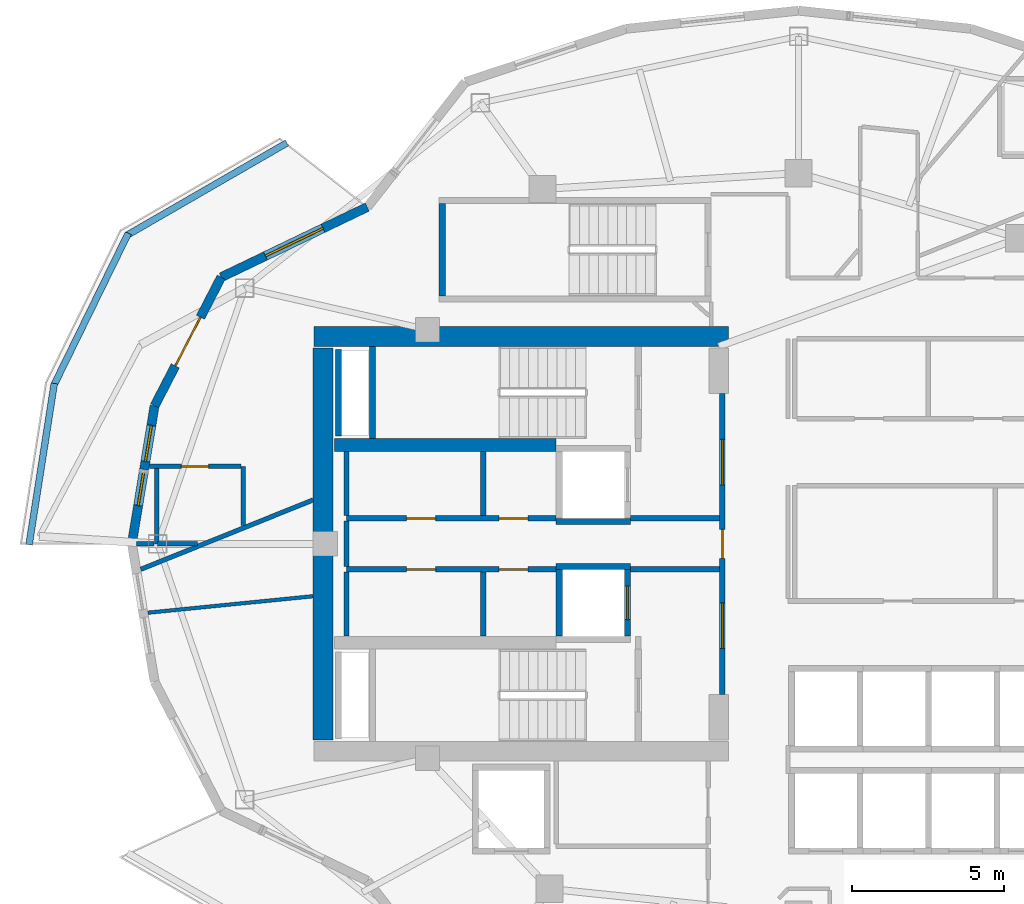
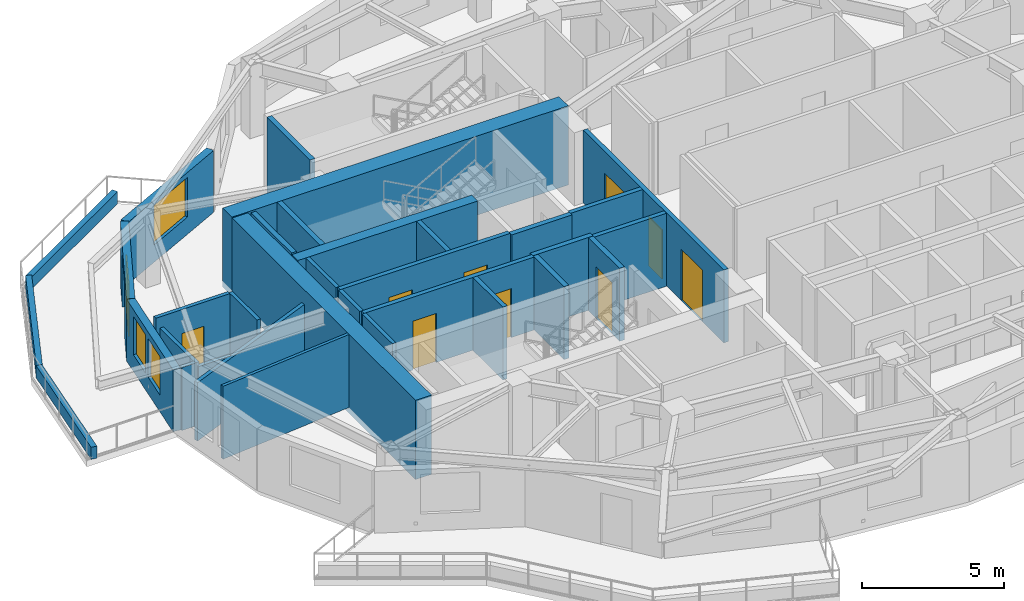
# One storey, part 4 of 10: 33 walls, 10 doors, 3 windows, 13 openings.
"""IFC4 building model written with IfcOpenShell, lengths in metres."""

from ifc_helpers import new_model, si_unit, direction, frame, frame_2d, origin, place, context, subcontext, project, spatial, rectangle, extrude, material, layer, layer_set, type_object, element, fill, save


model = new_model("IFC4")

# Units and contexts
model_context = context("Model", 3, precision=1e-05, world=origin(), true_north=direction((0.0, 1.0)))
body_context = subcontext(model_context, "Body", "Model", "MODEL_VIEW")
ifc_project = project(units=[si_unit("LENGTHUNIT", "METRE"), si_unit("AREAUNIT", "SQUARE_METRE"), si_unit("VOLUMEUNIT", "CUBIC_METRE"), si_unit("PLANEANGLEUNIT", "RADIAN"), si_unit("MASSUNIT", "GRAM", prefix="KILO")], contexts=[model_context])

# Site, building, storey
site_placement = place(None, origin())
site = spatial("IfcSite", under=ifc_project, at=site_placement, CompositionType="ELEMENT")
building_placement = place(site_placement, origin())
building = spatial("IfcBuilding", under=site, at=building_placement, Name="Kolvaren Gate Tower and Convention Centre", CompositionType="ELEMENT")
storey_placement = place(building_placement, frame((0.0, 0.0, 146.10009765625)))
storey = spatial("IfcBuildingStorey", under=building, at=storey_placement, Name="L37", CompositionType="ELEMENT", Elevation=146.10009765625)

# Wall, openings, doors
ifc_material_1 = material(Name="Autoclaved Aerated Masonry Blockwork Class 4 (4.0 MPa)", Category="masonry")
ifc_layer_1 = layer(ifc_material_1, 0.179931640625)
ifc_layer_set_1 = layer_set([ifc_layer_1], Name="Autoclaved Aerated Masonry Blockwork Class 4 (4.0 MPa)")
wall_type_1 = type_object("IfcWallType", Name="ARCH-WL-COMP-180", PredefinedType="SOLIDWALL", material=ifc_layer_set_1)
wall_1_placement = place(storey_placement, frame((27.6201171875, 22.050048828125, 0.0), z_axis=(0.0, 0.0, 1.0), x_axis=(0.0, 1.0, 0.0)))
wall_1 = element("IfcWall", 1, at=wall_1_placement, inside=storey, type_object=wall_type_1, Name="Interior Partition WL-L37-INT-003", PredefinedType="SOLIDWALL", context=body_context, shape_type="SweptSolid", body=[
    extrude(rectangle(XDim=9.89990234375, YDim=0.179931640625, at=frame_2d((4.949951171875, 0.0))), origin(), (0.0, 0.0, 1.0), 3.1298828125),
])
opening_1_placement = place(wall_1_placement, frame((4.47509765625, 0.0, 0.0)))
opening_1 = element("IfcOpeningElement", 2, at=opening_1_placement, cuts=wall_1, Name="Opening DR-01", PredefinedType="OPENING", context=body_context, shape_type="SweptSolid", body=[
    extrude(rectangle(XDim=0.949951171875, YDim=2.10009765625, at=frame_2d((0.47509765625, 1.050048828125))), frame((0.0, 0.099853515625, 0.0), z_axis=(0.0, -1.0, 0.0), x_axis=(1.0, 0.0, 0.0)), (0.0, 0.0, 1.0), 0.199951171875),
])
opening_2_placement = place(wall_1_placement, frame((6.889892578125, 0.0, 0.0)))
opening_2 = element("IfcOpeningElement", 3, at=opening_2_placement, cuts=wall_1, Name="Opening DL-01", PredefinedType="OPENING", context=body_context, shape_type="SweptSolid", body=[
    extrude(rectangle(XDim=1.5, YDim=2.199951171875, at=frame_2d((0.75, 1.10009765625))), frame((0.0, 0.099853515625, 0.0), z_axis=(0.0, -1.0, 0.0), x_axis=(1.0, 0.0, 0.0)), (0.0, 0.0, 1.0), 0.199951171875),
])
opening_3_placement = place(wall_1_placement, frame((1.510009765625, 0.0, 0.0)))
opening_3 = element("IfcOpeningElement", 4, at=opening_3_placement, cuts=wall_1, Name="Opening DL-01", PredefinedType="OPENING", context=body_context, shape_type="SweptSolid", body=[
    extrude(rectangle(XDim=1.5, YDim=2.199951171875, at=frame_2d((0.75, 1.10009765625))), frame((0.0, 0.099853515625, 0.0), z_axis=(0.0, -1.0, 0.0), x_axis=(1.0, 0.0, 0.0)), (0.0, 0.0, 1.0), 0.199951171875),
])
ifc_material_2 = material(Name="Painted Architectural Steelwork ASTM A500 Grade C 345 MPa", Category="steel")
door_type_1 = type_object("IfcDoorType", Name="ARCH-DR-LOBBY-1500", OperationType="DOUBLE_DOOR_SINGLE_SWING", PredefinedType="DOOR", material=ifc_material_2)
door_1_placement = place(opening_2_placement, origin())
door_1 = element("IfcDoor", 5, at=door_1_placement, inside=storey, type_object=door_type_1, Name="North Firefighting Stair and Lift Lobby Door", OperationType="DOUBLE_DOOR_SINGLE_SWING", OverallHeight=2.199951171875, OverallWidth=1.5, PredefinedType="DOOR", context=body_context, shape_type="SweptSolid", body=[
    extrude(rectangle(XDim=1.5, YDim=2.199951171875, at=frame_2d((0.75, 1.10009765625))), frame((0.0, 0.02490234375, 0.0), z_axis=(0.0, -1.0, 0.0), x_axis=(1.0, 0.0, 0.0)), (0.0, 0.0, 1.0), 0.050048828125),
])
fill(opening_2, door_1)
door_2_placement = place(opening_3_placement, origin())
door_2 = element("IfcDoor", 6, at=door_2_placement, inside=storey, type_object=door_type_1, Name="South Firefighting Stair and Lift Lobby Door", OperationType="DOUBLE_DOOR_SINGLE_SWING", OverallHeight=2.199951171875, OverallWidth=1.5, PredefinedType="DOOR", context=body_context, shape_type="SweptSolid", body=[
    extrude(rectangle(XDim=1.5, YDim=2.199951171875, at=frame_2d((0.75, 1.10009765625))), frame((0.0, 0.02490234375, 0.0), z_axis=(0.0, -1.0, 0.0), x_axis=(1.0, 0.0, 0.0)), (0.0, 0.0, 1.0), 0.050048828125),
])
fill(opening_3, door_2)
door_type_2 = type_object("IfcDoorType", Name="ARCH-DR-RISER-950", OperationType="SINGLE_SWING_RIGHT", PredefinedType="DOOR", material=ifc_material_2)
door_3_placement = place(opening_1_placement, origin())
door_3 = element("IfcDoor", 7, at=door_3_placement, inside=storey, type_object=door_type_2, Name="Central MEP Service Corridor Door", OperationType="SINGLE_SWING_LEFT", OverallHeight=2.10009765625, OverallWidth=0.949951171875, PredefinedType="DOOR", context=body_context, shape_type="SweptSolid", body=[
    extrude(rectangle(XDim=0.949951171875, YDim=2.10009765625, at=frame_2d((0.47509765625, 1.050048828125))), frame((0.0, 0.02490234375, 0.0), z_axis=(0.0, -1.0, 0.0), x_axis=(1.0, 0.0, 0.0)), (0.0, 0.0, 1.0), 0.050048828125),
])
fill(opening_1, door_3)

wall_2_placement = place(storey_placement, frame((15.25, 27.840087890625, 0.0), z_axis=(0.0, 0.0, 1.0), x_axis=(1.0, 0.0, 0.0)))
wall_2 = element("IfcWall", 8, at=wall_2_placement, inside=storey, type_object=wall_type_1, Name="Interior Partition WL-L37-INT-004", PredefinedType="SOLIDWALL", context=body_context, shape_type="SweptSolid", body=[
    extrude(rectangle(XDim=6.89990234375, YDim=0.179931640625, at=frame_2d((3.449951171875, 0.0))), origin(), (0.0, 0.0, 1.0), 3.1298828125),
])
opening_4_placement = place(wall_2_placement, frame((5.02001953125, 0.0, 0.0)))
opening_4 = element("IfcOpeningElement", 9, at=opening_4_placement, cuts=wall_2, Name="Opening DR-01", PredefinedType="OPENING", context=body_context, shape_type="SweptSolid", body=[
    extrude(rectangle(XDim=0.949951171875, YDim=2.10009765625, at=frame_2d((0.47509765625, 1.050048828125))), frame((0.0, 0.099853515625, 0.0), z_axis=(0.0, -1.0, 0.0), x_axis=(1.0, 0.0, 0.0)), (0.0, 0.0, 1.0), 0.199951171875),
])
opening_5_placement = place(wall_2_placement, frame((1.97998046875, 0.0, 0.0)))
opening_5 = element("IfcOpeningElement", 10, at=opening_5_placement, cuts=wall_2, Name="Opening DR-01", PredefinedType="OPENING", context=body_context, shape_type="SweptSolid", body=[
    extrude(rectangle(XDim=0.949951171875, YDim=2.10009765625, at=frame_2d((0.47509765625, 1.050048828125))), frame((0.0, 0.099853515625, 0.0), z_axis=(0.0, -1.0, 0.0), x_axis=(1.0, 0.0, 0.0)), (0.0, 0.0, 1.0), 0.199951171875),
])
door_4_placement = place(opening_4_placement, origin())
door_4 = element("IfcDoor", 11, at=door_4_placement, inside=storey, type_object=door_type_2, Name="Electrical Switchgear Closet Door", OperationType="SINGLE_SWING_RIGHT", OverallHeight=2.10009765625, OverallWidth=0.949951171875, PredefinedType="DOOR", context=body_context, shape_type="SweptSolid", body=[
    extrude(rectangle(XDim=0.949951171875, YDim=2.10009765625, at=frame_2d((0.47509765625, 1.050048828125))), frame((0.0, 0.02490234375, 0.0), z_axis=(0.0, -1.0, 0.0), x_axis=(1.0, 0.0, 0.0)), (0.0, 0.0, 1.0), 0.050048828125),
])
fill(opening_4, door_4)
door_5_placement = place(opening_5_placement, origin())
door_5 = element("IfcDoor", 12, at=door_5_placement, inside=storey, type_object=door_type_2, Name="Staff Powder Washroom Door", OperationType="SINGLE_SWING_RIGHT", OverallHeight=2.10009765625, OverallWidth=0.949951171875, PredefinedType="DOOR", context=body_context, shape_type="SweptSolid", body=[
    extrude(rectangle(XDim=0.949951171875, YDim=2.10009765625, at=frame_2d((0.47509765625, 1.050048828125))), frame((0.0, 0.02490234375, 0.0), z_axis=(0.0, -1.0, 0.0), x_axis=(1.0, 0.0, 0.0)), (0.0, 0.0, 1.0), 0.050048828125),
])
fill(opening_5, door_5)

# Wall
wall_3_placement = place(storey_placement, frame((24.60009765625, 27.840087890625, 0.0), z_axis=(0.0, 0.0, 1.0), x_axis=(1.0, 0.0, 0.0)))
element("IfcWall", 13, at=wall_3_placement, inside=storey, type_object=wall_type_1, Name="Interior Partition WL-L37-INT-004 (2)", PredefinedType="SOLIDWALL", context=body_context, shape_type="SweptSolid", body=[
    extrude(rectangle(XDim=2.927978515625, YDim=0.179931640625, at=frame_2d((1.4638671875, 0.0))), origin(), (0.0, 0.0, 1.0), 3.1298828125),
])

# Wall, openings, doors
wall_4_placement = place(storey_placement, frame((15.25, 26.159912109375, 0.0), z_axis=(0.0, 0.0, 1.0), x_axis=(1.0, 0.0, 0.0)))
wall_4 = element("IfcWall", 14, at=wall_4_placement, inside=storey, type_object=wall_type_1, Name="Interior Partition WL-L37-INT-005", PredefinedType="SOLIDWALL", context=body_context, shape_type="SweptSolid", body=[
    extrude(rectangle(XDim=6.89990234375, YDim=0.179931640625, at=frame_2d((3.449951171875, 0.0))), origin(), (0.0, 0.0, 1.0), 3.1298828125),
])
opening_6_placement = place(wall_4_placement, frame((5.02001953125, 0.0, 0.0)))
opening_6 = element("IfcOpeningElement", 15, at=opening_6_placement, cuts=wall_4, Name="Opening DR-01", PredefinedType="OPENING", context=body_context, shape_type="SweptSolid", body=[
    extrude(rectangle(XDim=0.949951171875, YDim=2.10009765625, at=frame_2d((0.47509765625, 1.050048828125))), frame((0.0, 0.099853515625, 0.0), z_axis=(0.0, -1.0, 0.0), x_axis=(1.0, 0.0, 0.0)), (0.0, 0.0, 1.0), 0.199951171875),
])
opening_7_placement = place(wall_4_placement, frame((1.97998046875, 0.0, 0.0)))
opening_7 = element("IfcOpeningElement", 16, at=opening_7_placement, cuts=wall_4, Name="Opening DR-01", PredefinedType="OPENING", context=body_context, shape_type="SweptSolid", body=[
    extrude(rectangle(XDim=0.949951171875, YDim=2.10009765625, at=frame_2d((0.47509765625, 1.050048828125))), frame((0.0, 0.099853515625, 0.0), z_axis=(0.0, -1.0, 0.0), x_axis=(1.0, 0.0, 0.0)), (0.0, 0.0, 1.0), 0.199951171875),
])
door_6_placement = place(opening_6_placement, origin())
door_6 = element("IfcDoor", 17, at=door_6_placement, inside=storey, type_object=door_type_2, Name="Domestic Water Meter Closet Door", OperationType="SINGLE_SWING_LEFT", OverallHeight=2.10009765625, OverallWidth=0.949951171875, PredefinedType="DOOR", context=body_context, shape_type="SweptSolid", body=[
    extrude(rectangle(XDim=0.949951171875, YDim=2.10009765625, at=frame_2d((0.47509765625, 1.050048828125))), frame((0.0, 0.02490234375, 0.0), z_axis=(0.0, -1.0, 0.0), x_axis=(1.0, 0.0, 0.0)), (0.0, 0.0, 1.0), 0.050048828125),
])
fill(opening_6, door_6)
door_7_placement = place(opening_7_placement, origin())
door_7 = element("IfcDoor", 18, at=door_7_placement, inside=storey, type_object=door_type_2, Name="Janitor Equipment Store Door", OperationType="SINGLE_SWING_LEFT", OverallHeight=2.10009765625, OverallWidth=0.949951171875, PredefinedType="DOOR", context=body_context, shape_type="SweptSolid", body=[
    extrude(rectangle(XDim=0.949951171875, YDim=2.10009765625, at=frame_2d((0.47509765625, 1.050048828125))), frame((0.0, 0.02490234375, 0.0), z_axis=(0.0, -1.0, 0.0), x_axis=(1.0, 0.0, 0.0)), (0.0, 0.0, 1.0), 0.050048828125),
])
fill(opening_7, door_7)

# Walls
wall_5_placement = place(storey_placement, frame((24.60009765625, 26.159912109375, 0.0), z_axis=(0.0, 0.0, 1.0), x_axis=(1.0, 0.0, 0.0)))
element("IfcWall", 19, at=wall_5_placement, inside=storey, type_object=wall_type_1, Name="Interior Partition WL-L37-INT-005 (2)", PredefinedType="SOLIDWALL", context=body_context, shape_type="SweptSolid", body=[
    extrude(rectangle(XDim=2.927978515625, YDim=0.179931640625, at=frame_2d((1.4638671875, 0.0))), origin(), (0.0, 0.0, 1.0), 3.1298828125),
])
for number, where, z_axis, x_axis, name in (
    (20, (19.75, 23.9619140625, 0.0), (0.0, 0.0, 1.0), (0.0, 1.0, 0.0), "Interior Partition WL-L37-INT-007"),
    (21, (19.75, 27.931884765625, 0.0), (0.0, 0.0, 1.0), (0.0, 1.0, 0.0), "Interior Partition WL-L37-INT-008"),
):
    element("IfcWall", number, at=place(storey_placement, frame(where, z_axis=z_axis, x_axis=x_axis)), inside=storey, type_object=wall_type_1, Name=name, PredefinedType="SOLIDWALL", context=body_context, shape_type="SweptSolid", body=[
        extrude(rectangle(XDim=2.106201171875, YDim=0.179931640625, at=frame_2d((1.05322265625, 0.0))), origin(), (0.0, 0.0, 1.0), 3.1298828125),
    ])
ifc_material_3 = material(Name="Fire-Rated Acoustic Gypsum Stud Partition", Category="gypsum")
ifc_layer_2 = layer(ifc_material_3, 0.1201171875)
ifc_layer_set_2 = layer_set([ifc_layer_2], Name="Fire-Rated Acoustic Gypsum Stud Partition")
wall_type_2 = type_object("IfcWallType", Name="ARCH-WL-PART-120", PredefinedType="PARTITIONING", material=ifc_layer_set_2)
wall_6_placement = place(storey_placement, frame((8.714111328125, 24.735107421875, 0.0), z_axis=(0.0, 0.0, 1.0), x_axis=(0.995066803819, 0.099207136527, 0.0)))
element("IfcWall", 22, at=wall_6_placement, inside=storey, type_object=wall_type_2, Name="Interior Partition WL-L37-INT-051", PredefinedType="PARTITIONING", context=body_context, shape_type="SweptSolid", body=[
    extrude(rectangle(XDim=5.460693359375, YDim=0.1201171875, at=frame_2d((2.73046875, 0.0))), origin(), (0.0, 0.0, 1.0), 3.1298828125),
])
ifc_material_4 = material(Name="Piedmont Cream Honed Limestone Cladding", Category="masonry")
ifc_layer_3 = layer(ifc_material_4, 0.219970703125)
ifc_layer_set_3 = layer_set([ifc_layer_3], Name="Piedmont Cream Honed Limestone Cladding")
wall_type_3 = type_object("IfcWallType", Name="ARCH-WL-PLANTER-220", PredefinedType="PARAPET", material=ifc_layer_set_3)
wall_7_placement = place(storey_placement, frame((8.0439453125, 37.16552734375, 0.0), z_axis=(0.0, 0.0, 1.0), x_axis=(0.866058128659, 0.499943314571, 0.0)))
element("IfcWall", 23, at=wall_7_placement, inside=storey, type_object=wall_type_3, Name="Vertical-Forest Balcony Stone Planter Kerb PK-L37-2.1", PredefinedType="PARAPET", context=body_context, shape_type="SweptSolid", body=[
    extrude(rectangle(XDim=6.060302734375, YDim=0.219970703125, at=frame_2d((3.0302734375, 0.0))), origin(), (0.0, 0.0, 1.0), 0.52001953125),
])
wall_8_placement = place(storey_placement, frame((5.6220703125, 32.22119140625, 0.0), z_axis=(0.0, 0.0, 1.0), x_axis=(0.439637174641, 0.898175458735, 0.0)))
element("IfcWall", 24, at=wall_8_placement, inside=storey, type_object=wall_type_3, Name="Vertical-Forest Balcony Stone Planter Kerb PK-L37-2.2", PredefinedType="PARAPET", context=body_context, shape_type="SweptSolid", body=[
    extrude(rectangle(XDim=5.567138671875, YDim=0.219970703125, at=frame_2d((2.78369140625, 0.0))), origin(), (0.0, 0.0, 1.0), 0.52001953125),
])
wall_9_placement = place(storey_placement, frame((4.805908203125, 26.970703125, 0.0), z_axis=(0.0, 0.0, 1.0), x_axis=(0.154245214003, 0.988032597619, 0.0)))
element("IfcWall", 25, at=wall_9_placement, inside=storey, type_object=wall_type_3, Name="Vertical-Forest Balcony Stone Planter Kerb PK-L37-2.3", PredefinedType="PARAPET", context=body_context, shape_type="SweptSolid", body=[
    extrude(rectangle(XDim=5.37353515625, YDim=0.219970703125, at=frame_2d((2.686767578125, 0.0))), origin(), (0.0, 0.0, 1.0), 0.52001953125),
])
ifc_layer_4 = layer(ifc_material_1, 0.199951171875)
ifc_layer_set_4 = layer_set([ifc_layer_4], Name="Autoclaved Aerated Masonry Blockwork Class 4 (4.0 MPa)")
wall_type_4 = type_object("IfcWallType", Name="ARCH-WL-SHAFT-200", PredefinedType="SOLIDWALL", material=ifc_layer_set_4)
for number, where, z_axis, x_axis, name in (
    (26, (22.14990234375, 27.739990234375, 0.0), (0.0, 0.0, 1.0), (1.0, 0.0, 0.0), "Elevator FF-01 L37 Fire Shaft Wall S"),
    (27, (22.14990234375, 26.260009765625, 0.0), (0.0, 0.0, 1.0), (1.0, 0.0, 0.0), "Elevator FF-02 L37 Fire Shaft Wall N"),
):
    element("IfcWall", number, at=place(storey_placement, frame(where, z_axis=z_axis, x_axis=x_axis)), inside=storey, type_object=wall_type_4, Name=name, PredefinedType="SOLIDWALL", context=body_context, shape_type="SweptSolid", body=[
        extrude(rectangle(XDim=2.4501953125, YDim=0.199951171875, at=frame_2d((1.22509765625, 0.0))), origin(), (0.0, 0.0, 1.0), 3.1298828125),
    ])
wall_10_placement = place(storey_placement, frame((22.25, 23.969970703125, 0.0), z_axis=(0.0, 0.0, 1.0), x_axis=(0.0, 1.0, 0.0)))
element("IfcWall", 28, at=wall_10_placement, inside=storey, type_object=wall_type_4, Name="Elevator FF-02 L37 Fire Shaft Wall W", PredefinedType="SOLIDWALL", context=body_context, shape_type="SweptSolid", body=[
    extrude(rectangle(XDim=2.179931640625, YDim=0.199951171875, at=frame_2d((1.08984375, 0.0))), origin(), (0.0, 0.0, 1.0), 3.1298828125),
])

# Wall, opening, door
wall_11_placement = place(storey_placement, frame((24.5, 23.969970703125, 0.0), z_axis=(0.0, 0.0, 1.0), x_axis=(0.0, 1.0, 0.0)))
wall_11 = element("IfcWall", 29, at=wall_11_placement, inside=storey, type_object=wall_type_4, Name="Elevator FF-02 L37 Fire Shaft Wall E", PredefinedType="SOLIDWALL", context=body_context, shape_type="SweptSolid", body=[
    extrude(rectangle(XDim=2.179931640625, YDim=0.199951171875, at=frame_2d((1.08984375, 0.0))), origin(), (0.0, 0.0, 1.0), 3.1298828125),
])
opening_8_placement = place(wall_11_placement, frame((0.5400390625, 0.0, 0.0)))
opening_8 = element("IfcOpeningElement", 30, at=opening_8_placement, cuts=wall_11, Name="Opening LD", PredefinedType="OPENING", context=body_context, shape_type="SweptSolid", body=[
    extrude(rectangle(XDim=1.10009765625, YDim=2.199951171875, at=frame_2d((0.550048828125, 1.10009765625))), frame((0.0, 0.10986328125, 0.0), z_axis=(0.0, -1.0, 0.0), x_axis=(1.0, 0.0, 0.0)), (0.0, 0.0, 1.0), 0.219970703125),
])
ifc_material_5 = material(Name="Brushed Stainless Steel Grade 316L", Category="steel")
door_type_3 = type_object("IfcDoorType", Name="ARCH-DR-LIFT-1100", OperationType="SLIDING_TO_LEFT", PredefinedType="DOOR", material=ifc_material_5)
door_8_placement = place(opening_8_placement, origin())
door_8 = element("IfcDoor", 31, at=door_8_placement, inside=storey, type_object=door_type_3, Name="Elevator FF-02 L37 Sliding Landing Door", OperationType="SLIDING_TO_LEFT", OverallHeight=2.199951171875, OverallWidth=1.10009765625, PredefinedType="DOOR", context=body_context, shape_type="SweptSolid", body=[
    extrude(rectangle(XDim=1.10009765625, YDim=2.199951171875, at=frame_2d((0.550048828125, 1.10009765625))), frame((0.0, 0.02490234375, 0.0), z_axis=(0.0, -1.0, 0.0), x_axis=(1.0, 0.0, 0.0)), (0.0, 0.0, 1.0), 0.050048828125),
])
fill(opening_8, door_8)

# Wall
wall_12_placement = place(storey_placement, frame((14.989990234375, 30.550048828125, 0.0), z_axis=(0.0, 0.0, 1.0), x_axis=(0.0, 1.0, 0.0)))
element("IfcWall", 32, at=wall_12_placement, inside=storey, type_object=wall_type_4, Name="Vertical Shaft HVR L37 EI-120 Enclosure Wall W", PredefinedType="SOLIDWALL", context=body_context, shape_type="SweptSolid", body=[
    extrude(rectangle(XDim=2.849853515625, YDim=0.199951171875, at=frame_2d((1.4248046875, 0.0))), origin(), (0.0, 0.0, 1.0), 3.1298828125),
])

# Wall, opening, window
ifc_layer_5 = layer(ifc_material_4, 0.300048828125)
ifc_layer_set_5 = layer_set([ifc_layer_5], Name="Piedmont Cream Honed Limestone Cladding")
wall_type_5 = type_object("IfcWallType", Name="ARCH-WL-STONE-300", PredefinedType="SOLIDWALL", material=ifc_layer_set_5)
wall_13_placement = place(storey_placement, frame((11.126708984375, 35.77490234375, 0.0), z_axis=(0.0, 0.0, 1.0), x_axis=(0.901353070301, 0.433085029363, 0.0)))
wall_13 = element("IfcWall", 33, at=wall_13_placement, inside=storey, type_object=wall_type_5, Name="Tower L37 Honed Stone Spandrel Wall EW-09", PredefinedType="SOLIDWALL", context=body_context, shape_type="SweptSolid", body=[
    extrude(rectangle(XDim=5.336181640625, YDim=0.300048828125, at=frame_2d((2.66796875, 0.0))), origin(), (0.0, 0.0, 1.0), 2.65283203125),
])
opening_9_placement = place(wall_13_placement, frame((1.617919921875, 0.0, 0.739990234375)))
opening_9 = element("IfcOpeningElement", 34, at=opening_9_placement, cuts=wall_13, Name="Opening W-02", PredefinedType="OPENING", context=body_context, shape_type="SweptSolid", body=[
    extrude(rectangle(XDim=2.10009765625, YDim=1.699951171875, at=frame_2d((1.050048828125, 0.85009765625))), frame((0.0, 0.159912109375, 0.0), z_axis=(0.0, -1.0, 0.0), x_axis=(1.0, 0.0, 0.0)), (0.0, 0.0, 1.0), 0.320068359375),
])
ifc_material_6 = material(Name="Low-E Triple Insulated Glazing Unit 44 mm", Category="glass")
window_type_1 = type_object("IfcWindowType", Name="ARCH-WN-HTL-2100", PartitioningType="SINGLE_PANEL", PredefinedType="WINDOW", material=ifc_material_6)
window_1_placement = place(opening_9_placement, origin())
window_1 = element("IfcWindow", 35, at=window_1_placement, inside=storey, type_object=window_type_1, Name="Tower L37 Punched Stone Facade Window W-09", OverallHeight=1.699951171875, OverallWidth=2.10009765625, PartitioningType="SINGLE_PANEL", PredefinedType="WINDOW", context=body_context, shape_type="SweptSolid", body=[
    extrude(rectangle(XDim=2.10009765625, YDim=1.699951171875, at=frame_2d((1.050048828125, 0.85009765625))), frame((0.0, 0.030029296875, 0.0), z_axis=(0.0, -1.0, 0.0), x_axis=(1.0, 0.0, 0.0)), (0.0, 0.0, 1.0), 0.06005859375),
])
fill(opening_9, window_1)

# Wall, opening, door
wall_14_placement = place(storey_placement, frame((8.93505859375, 31.542236328125, 0.0), z_axis=(0.0, 0.0, 1.0), x_axis=(0.459810251451, 0.888017191647, 0.0)))
wall_14 = element("IfcWall", 36, at=wall_14_placement, inside=storey, type_object=wall_type_5, Name="Tower L37 Honed Stone Spandrel Wall EW-10", PredefinedType="SOLIDWALL", context=body_context, shape_type="SweptSolid", body=[
    extrude(rectangle(XDim=4.766357421875, YDim=0.300048828125, at=frame_2d((2.38330078125, 0.0))), origin(), (0.0, 0.0, 1.0), 2.65283203125),
])
opening_10_placement = place(wall_14_placement, frame((1.48291015625, 0.0, 0.0)))
opening_10 = element("IfcOpeningElement", 37, at=opening_10_placement, cuts=wall_14, Name="Opening DB-01", PredefinedType="OPENING", context=body_context, shape_type="SweptSolid", body=[
    extrude(rectangle(XDim=1.800048828125, YDim=2.25, at=frame_2d((0.89990234375, 1.125))), frame((0.0, 0.159912109375, 0.0), z_axis=(0.0, -1.0, 0.0), x_axis=(1.0, 0.0, 0.0)), (0.0, 0.0, 1.0), 0.320068359375),
])
ifc_material_7 = material(Name="Anodized Architectural Aluminium Alloy 6063-T6", Category="aluminium")
door_type_4 = type_object("IfcDoorType", Name="ARCH-DR-BALC-1800", OperationType="SLIDING_TO_LEFT", PredefinedType="DOOR", material=ifc_material_7)
door_9_placement = place(opening_10_placement, origin())
door_9 = element("IfcDoor", 38, at=door_9_placement, inside=storey, type_object=door_type_4, Name="Planted Sky Terrace Access Door DB-L37-10", OperationType="SLIDING_TO_LEFT", OverallHeight=2.25, OverallWidth=1.800048828125, PredefinedType="DOOR", context=body_context, shape_type="SweptSolid", body=[
    extrude(rectangle(XDim=1.800048828125, YDim=2.25, at=frame_2d((0.89990234375, 1.125))), frame((0.0, 0.02490234375, 0.0), z_axis=(0.0, -1.0, 0.0), x_axis=(1.0, 0.0, 0.0)), (0.0, 0.0, 1.0), 0.050048828125),
])
fill(opening_10, door_9)

# Wall, openings, windows
wall_15_placement = place(storey_placement, frame((8.1875, 27.0, 0.0), z_axis=(0.0, 0.0, 1.0), x_axis=(0.162394765401, 0.986725868806, 0.0)))
wall_15 = element("IfcWall", 39, at=wall_15_placement, inside=storey, type_object=wall_type_5, Name="Tower L37 Honed Stone Spandrel Wall EW-11", PredefinedType="SOLIDWALL", context=body_context, shape_type="SweptSolid", body=[
    extrude(rectangle(XDim=4.603271484375, YDim=0.300048828125, at=frame_2d((2.3017578125, 0.0))), origin(), (0.0, 0.0, 1.0), 2.65283203125),
])
opening_11_placement = place(wall_15_placement, frame((1.279296875, 0.0, 0.719970703125)))
opening_11 = element("IfcOpeningElement", 40, at=opening_11_placement, cuts=wall_15, Name="Opening W-04", PredefinedType="OPENING", context=body_context, shape_type="SweptSolid", body=[
    extrude(rectangle(XDim=1.199951171875, YDim=1.64990234375, at=frame_2d((0.60009765625, 0.824951171875))), frame((0.0, 0.159912109375, 0.0), z_axis=(0.0, -1.0, 0.0), x_axis=(1.0, 0.0, 0.0)), (0.0, 0.0, 1.0), 0.320068359375),
])
opening_12_placement = place(wall_15_placement, frame((2.749755859375, 0.0, 0.719970703125)))
opening_12 = element("IfcOpeningElement", 41, at=opening_12_placement, cuts=wall_15, Name="Opening W-04", PredefinedType="OPENING", context=body_context, shape_type="SweptSolid", body=[
    extrude(rectangle(XDim=1.199951171875, YDim=1.64990234375, at=frame_2d((0.60009765625, 0.824951171875))), frame((0.0, 0.159912109375, 0.0), z_axis=(0.0, -1.0, 0.0), x_axis=(1.0, 0.0, 0.0)), (0.0, 0.0, 1.0), 0.320068359375),
])
window_type_2 = type_object("IfcWindowType", Name="ARCH-WN-NARROW-1200", PartitioningType="SINGLE_PANEL", PredefinedType="WINDOW", material=ifc_material_6)
window_2_placement = place(opening_11_placement, origin())
window_2 = element("IfcWindow", 42, at=window_2_placement, inside=storey, type_object=window_type_2, Name="Tower L37 Punched Stone Facade Window W-11", OverallHeight=1.64990234375, OverallWidth=1.199951171875, PartitioningType="SINGLE_PANEL", PredefinedType="WINDOW", context=body_context, shape_type="SweptSolid", body=[
    extrude(rectangle(XDim=1.199951171875, YDim=1.64990234375, at=frame_2d((0.60009765625, 0.824951171875))), frame((0.0, 0.030029296875, 0.0), z_axis=(0.0, -1.0, 0.0), x_axis=(1.0, 0.0, 0.0)), (0.0, 0.0, 1.0), 0.06005859375),
])
fill(opening_11, window_2)
window_3_placement = place(opening_12_placement, origin())
window_3 = element("IfcWindow", 43, at=window_3_placement, inside=storey, type_object=window_type_2, Name="Tower L37 Punched Stone Facade Window W-11B", OverallHeight=1.64990234375, OverallWidth=1.199951171875, PartitioningType="SINGLE_PANEL", PredefinedType="WINDOW", context=body_context, shape_type="SweptSolid", body=[
    extrude(rectangle(XDim=1.199951171875, YDim=1.64990234375, at=frame_2d((0.60009765625, 0.824951171875))), frame((0.0, 0.030029296875, 0.0), z_axis=(0.0, -1.0, 0.0), x_axis=(1.0, 0.0, 0.0)), (0.0, 0.0, 1.0), 0.06005859375),
])
fill(opening_12, window_3)

# Walls
ifc_material_8 = material(Name="Moisture-Resistant Cement-Board Acoustic Partition", Category="gypsum")
ifc_layer_6 = layer(ifc_material_8, 0.14990234375)
ifc_layer_set_6 = layer_set([ifc_layer_6], Name="Moisture-Resistant Cement-Board Acoustic Partition")
wall_type_6 = type_object("IfcWallType", Name="ARCH-WL-WET-150", PredefinedType="PARTITIONING", material=ifc_layer_set_6)
wall_16_placement = place(storey_placement, frame((15.25, 23.9619140625, 0.0), z_axis=(0.0, 0.0, 1.0), x_axis=(0.0, 1.0, 0.0)))
element("IfcWall", 44, at=wall_16_placement, inside=storey, type_object=wall_type_6, Name="Interior Partition WL-L37-INT-006", PredefinedType="PARTITIONING", context=body_context, shape_type="SweptSolid", body=[
    extrude(rectangle(XDim=2.106201171875, YDim=0.14990234375, at=frame_2d((1.05322265625, 0.0))), origin(), (0.0, 0.0, 1.0), 3.1298828125),
])
wall_17_placement = place(storey_placement, frame((15.25, 26.251953125, 0.0), z_axis=(0.0, 0.0, 1.0), x_axis=(0.0, 1.0, 0.0)))
element("IfcWall", 45, at=wall_17_placement, inside=storey, type_object=wall_type_6, Name="Interior Partition WL-L37-INT-006 (2)", PredefinedType="PARTITIONING", context=body_context, shape_type="SweptSolid", body=[
    extrude(rectangle(XDim=1.49609375, YDim=0.14990234375, at=frame_2d((0.748046875, 0.0))), origin(), (0.0, 0.0, 1.0), 3.1298828125),
])
wall_18_placement = place(storey_placement, frame((15.25, 27.931884765625, 0.0), z_axis=(0.0, 0.0, 1.0), x_axis=(0.0, 1.0, 0.0)))
element("IfcWall", 46, at=wall_18_placement, inside=storey, type_object=wall_type_6, Name="Interior Partition WL-L37-INT-006 (3)", PredefinedType="PARTITIONING", context=body_context, shape_type="SweptSolid", body=[
    extrude(rectangle(XDim=2.106201171875, YDim=0.14990234375, at=frame_2d((1.05322265625, 0.0))), origin(), (0.0, 0.0, 1.0), 3.1298828125),
])
wall_19_placement = place(storey_placement, frame((8.4794921875, 26.162109375, 0.0), z_axis=(0.0, 0.0, 1.0), x_axis=(0.927622844305, 0.373518217392, 0.0)))
element("IfcWall", 47, at=wall_19_placement, inside=storey, type_object=wall_type_6, Name="Interior Partition WL-L37-INT-066", PredefinedType="PARTITIONING", context=body_context, shape_type="SweptSolid", body=[
    extrude(rectangle(XDim=6.11083984375, YDim=0.14990234375, at=frame_2d((3.055419921875, 0.0))), origin(), (0.0, 0.0, 1.0), 2.5048828125),
])
wall_20_placement = place(storey_placement, frame((11.85009765625, 27.602294921875, 0.0), z_axis=(0.0, 0.0, 1.0), x_axis=(0.0, 1.0, 0.0)))
element("IfcWall", 48, at=wall_20_placement, inside=storey, type_object=wall_type_6, Name="Interior Partition WL-L37-INT-075", PredefinedType="PARTITIONING", context=body_context, shape_type="SweptSolid", body=[
    extrude(rectangle(XDim=1.94775390625, YDim=0.14990234375, at=frame_2d((0.973876953125, 0.0))), origin(), (0.0, 0.0, 1.0), 3.1298828125),
])

# Wall, opening, door
wall_21_placement = place(storey_placement, frame((8.76123046875, 29.550048828125, 0.0), z_axis=(0.0, 0.0, 1.0), x_axis=(1.0, 0.0, 0.0)))
wall_21 = element("IfcWall", 49, at=wall_21_placement, inside=storey, type_object=wall_type_6, Name="Interior Partition WL-L37-INT-076", PredefinedType="PARTITIONING", context=body_context, shape_type="SweptSolid", body=[
    extrude(rectangle(XDim=3.01171875, YDim=0.14990234375, at=frame_2d((1.505859375, 0.0))), origin(), (0.0, 0.0, 1.0), 3.1298828125),
])
opening_13_placement = place(wall_21_placement, frame((1.055908203125, 0.0, 0.0)))
opening_13 = element("IfcOpeningElement", 50, at=opening_13_placement, cuts=wall_21, Name="Opening DW-01", PredefinedType="OPENING", context=body_context, shape_type="SweptSolid", body=[
    extrude(rectangle(XDim=0.89990234375, YDim=2.10009765625, at=frame_2d((0.449951171875, 1.050048828125))), frame((0.0, 0.0849609375, 0.0), z_axis=(0.0, -1.0, 0.0), x_axis=(1.0, 0.0, 0.0)), (0.0, 0.0, 1.0), 0.169921875),
])
ifc_material_9 = material(Name="FSC Andean Oak Engineered Veneer Door Leaf", Category="wood")
door_type_5 = type_object("IfcDoorType", Name="ARCH-DR-WC-900", OperationType="SINGLE_SWING_RIGHT", PredefinedType="DOOR", material=ifc_material_9)
door_10_placement = place(opening_13_placement, origin())
door_10 = element("IfcDoor", 51, at=door_10_placement, inside=storey, type_object=door_type_5, Name="En-suite Bathroom (HTL-L37-10) Door", OperationType="SINGLE_SWING_RIGHT", OverallHeight=2.10009765625, OverallWidth=0.89990234375, PredefinedType="DOOR", context=body_context, shape_type="SweptSolid", body=[
    extrude(rectangle(XDim=0.89990234375, YDim=2.10009765625, at=frame_2d((0.449951171875, 1.050048828125))), frame((0.0, 0.02490234375, 0.0), z_axis=(0.0, -1.0, 0.0), x_axis=(1.0, 0.0, 0.0)), (0.0, 0.0, 1.0), 0.050048828125),
])
fill(opening_13, door_10)

# Walls
wall_22_placement = place(storey_placement, frame((9.0, 27.0, 0.0), z_axis=(0.0, 0.0, 1.0), x_axis=(0.0, 1.0, 0.0)))
element("IfcWall", 52, at=wall_22_placement, inside=storey, type_object=wall_type_6, Name="Interior Partition WL-L37-INT-077", PredefinedType="PARTITIONING", context=body_context, shape_type="SweptSolid", body=[
    extrude(rectangle(XDim=2.472900390625, YDim=0.14990234375, at=frame_2d((1.236328125, 0.0))), origin(), (0.0, 0.0, 1.0), 2.65283203125),
])
wall_23_placement = place(storey_placement, frame((8.341796875, 27.0009765625, 0.0), z_axis=(0.0, 0.0, 1.0), x_axis=(0.999998588859, -0.00167996403, 0.0)))
element("IfcWall", 53, at=wall_23_placement, inside=storey, type_object=wall_type_6, Name="Interior Partition WL-L37-INT-078", PredefinedType="PARTITIONING", context=body_context, shape_type="SweptSolid", body=[
    extrude(rectangle(XDim=0.581298828125, YDim=0.14990234375, at=frame_2d((0.29052734375, 0.0))), origin(), (0.0, 0.0, 1.0), 2.702392578125),
])
wall_24_placement = place(storey_placement, frame((9.0234375, 27.0, 0.0), z_axis=(0.0, 0.0, 1.0), x_axis=(0.999999169985, -0.001288421533, 0.0)))
element("IfcWall", 54, at=wall_24_placement, inside=storey, type_object=wall_type_6, Name="Interior Partition WL-L37-INT-078 (2)", PredefinedType="PARTITIONING", context=body_context, shape_type="SweptSolid", body=[
    extrude(rectangle(XDim=1.326416015625, YDim=0.14990234375, at=frame_2d((0.6630859375, 0.0))), origin(), (0.0, 0.0, 1.0), 2.5048828125),
])
ifc_material_10 = material(Name="Concrete C50/60", Category="concrete")
ifc_layer_7 = layer(ifc_material_10, 0.419921875)
ifc_layer_set_7 = layer_set([ifc_layer_7], Name="Concrete C50/60")
wall_type_7 = type_object("IfcWallType", Name="STR-WL-CONV-420", PredefinedType="SHEAR", material=ifc_layer_set_7)
wall_25_placement = place(storey_placement, frame((14.85009765625, 30.25, -0.27001953125), z_axis=(0.0, 0.0, 1.0), x_axis=(1.0, 0.0, 0.0)))
element("IfcWall", 55, at=wall_25_placement, inside=storey, type_object=wall_type_7, Name="Tower L37 Offset Core Shear Wall WN", PredefinedType="SHEAR", context=body_context, shape_type="SweptSolid", body=[
    extrude(rectangle(XDim=7.2998046875, YDim=0.419921875, at=frame_2d((3.64990234375, 0.0))), origin(), (0.0, 0.0, 1.0), 3.39990234375),
])
ifc_material_11 = material(Name="Concrete C60/75", Category="concrete")
ifc_layer_8 = layer(ifc_material_11, 0.64990234375)
ifc_layer_set_8 = layer_set([ifc_layer_8], Name="Concrete C60/75")
wall_type_8 = type_object("IfcWallType", Name="STR-WL-CORE-650", PredefinedType="SHEAR", material=ifc_layer_set_8)
wall_26_placement = place(storey_placement, frame((14.175048828125, 33.824951171875, -0.27001953125), z_axis=(0.0, 0.0, 1.0), x_axis=(1.0, 0.0, 0.0)))
element("IfcWall", 56, at=wall_26_placement, inside=storey, type_object=wall_type_8, Name="Tower L37 Offset Core Shear Wall N", PredefinedType="SHEAR", context=body_context, shape_type="SweptSolid", body=[
    extrude(rectangle(XDim=13.64990234375, YDim=0.64990234375, at=frame_2d((6.824951171875, 0.0))), origin(), (0.0, 0.0, 1.0), 3.39990234375),
])
wall_27_placement = place(storey_placement, frame((14.47509765625, 20.550048828125, -0.27001953125), z_axis=(0.0, 0.0, 1.0), x_axis=(0.0, 1.0, 0.0)))
element("IfcWall", 57, at=wall_27_placement, inside=storey, type_object=wall_type_8, Name="Tower L37 Offset Core Shear Wall W", PredefinedType="SHEAR", context=body_context, shape_type="SweptSolid", body=[
    extrude(rectangle(XDim=12.89990234375, YDim=0.64990234375, at=frame_2d((6.449951171875, 0.0))), origin(), (0.0, 0.0, 1.0), 3.39990234375),
])
ifc_layer_9 = layer(ifc_material_10, 0.199951171875)
ifc_layer_set_9 = layer_set([ifc_layer_9], Name="Concrete C50/60")
wall_type_9 = type_object("IfcWallType", Name="STR-WL-SHAFT-200", PredefinedType="SHEAR", material=ifc_layer_set_9)
wall_28_placement = place(storey_placement, frame((16.10009765625, 30.4619140625, -0.27001953125), z_axis=(0.0, 0.0, 1.0), x_axis=(0.0, 1.0, 0.0)))
element("IfcWall", 58, at=wall_28_placement, inside=storey, type_object=wall_type_9, Name="Tower North Exit Stair ST-T1 L37 Structural Shear Enclosure Wall FAR", PredefinedType="SHEAR", context=body_context, shape_type="SweptSolid", body=[
    extrude(rectangle(XDim=3.0361328125, YDim=0.199951171875, at=frame_2d((1.51806640625, 0.0))), origin(), (0.0, 0.0, 1.0), 3.39990234375),
])
wall_29_placement = place(storey_placement, frame((18.39990234375, 35.159912109375, -0.27001953125), z_axis=(0.0, 0.0, 1.0), x_axis=(0.0, 1.0, 0.0)))
element("IfcWall", 59, at=wall_29_placement, inside=storey, type_object=wall_type_9, Name="Tower Mid-Zone Exit Stair ST-T3 L37 Structural Shear Enclosure Wall FAR", PredefinedType="SHEAR", context=body_context, shape_type="SweptSolid", body=[
    extrude(rectangle(XDim=3.0400390625, YDim=0.199951171875, at=frame_2d((1.52001953125, 0.0))), origin(), (0.0, 0.0, 1.0), 3.39990234375),
])

save(model, "model.ifc")
